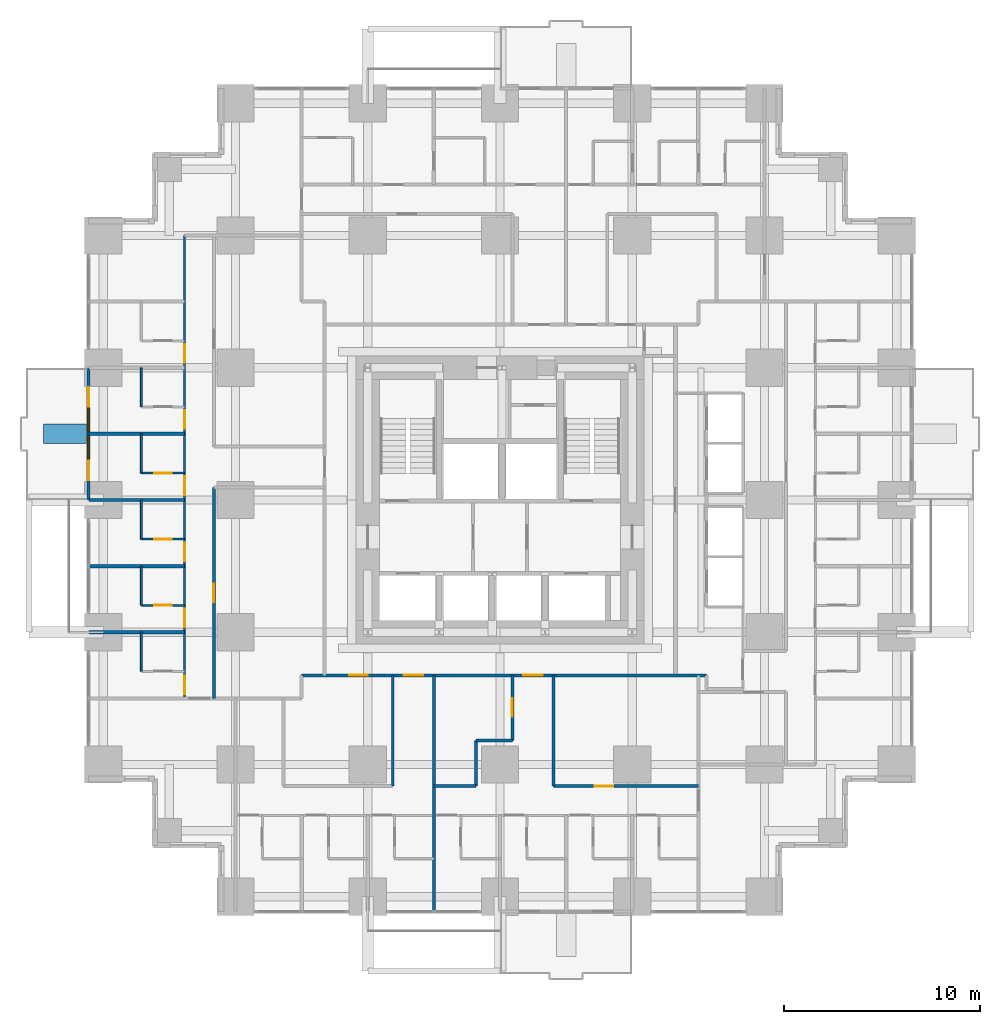
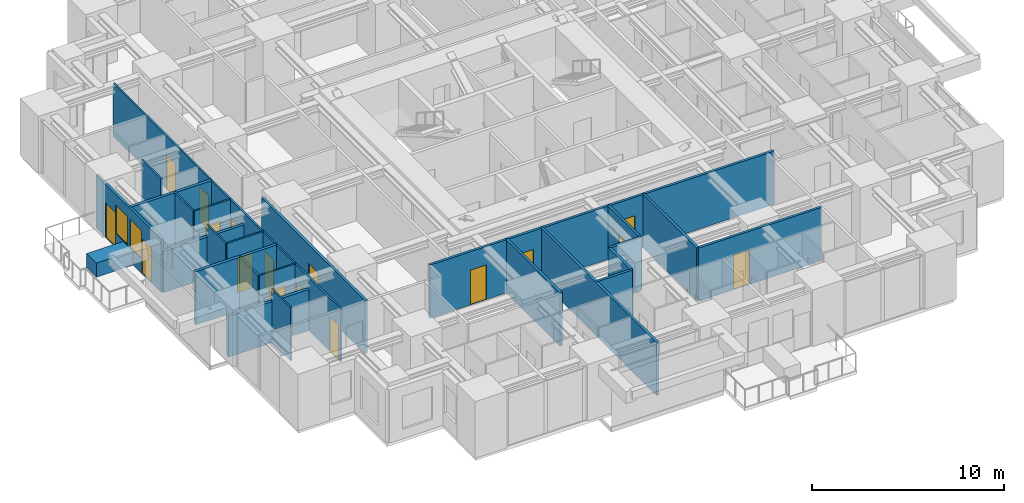
# One storey, part 9 of 15: 25 walls, 17 doors, 2 windows, 19 openings.
"""IFC4 building model written with IfcOpenShell, lengths in metres."""

import ifcopenshell
import ifcopenshell.guid

model = None  # the IFC model being written
_history = None  # IfcOwnerHistory: only IFC2X3 demands one
_inside = {}  # id of a spatial element -> (the spatial element, [elements in it])
_under = {}  # id of a project, library or spatial element -> (it, [spatial elements below it])
_declared = {}  # id of a project -> (the project, [libraries it declares])
_typed = {}  # id of a type object -> (the type object, [elements of that type])
_made_of = {}  # id of a material, layer set ... -> (it, [elements and type objects made of it])


def new_model(schema):
    """Start an empty IFC model of exactly this schema.

    Asked for "IFC4X3", IfcOpenShell would pick the latest addendum, in which some entities
    have other attributes; the version numbers below select the first issue.
    IFC2X3 requires an IfcOwnerHistory on every rooted entity: one is made here for all.
    """
    global model, _history
    if schema == "IFC4X3":
        model = ifcopenshell.file(schema_version=(4, 3, 0, 0))
    else:
        model = ifcopenshell.file(schema=schema)
    _inside.clear()
    _under.clear()
    _declared.clear()
    _typed.clear()
    _made_of.clear()
    _history = None
    if model.schema == "IFC2X3":
        org = make("IfcOrganization", Name="unknown")
        user = make(
            "IfcPersonAndOrganization",
            ThePerson=make("IfcPerson", FamilyName="unknown"),
            TheOrganization=org,
        )
        app = make(
            "IfcApplication",
            ApplicationDeveloper=org,
            Version="unknown",
            ApplicationFullName="unknown",
            ApplicationIdentifier="unknown",
        )
        _history = make(
            "IfcOwnerHistory",
            OwningUser=user,
            OwningApplication=app,
            ChangeAction="ADDED",
            CreationDate=0,
        )
    return model


def make(cls, **values):
    """One entity of the class cls with the attributes given. An attribute that is None is left unset."""
    return model.create_entity(
        cls, **{name: value for name, value in values.items() if value is not None}
    )


def rooted(cls, **values):
    """An entity with a GlobalId (a new one), such as an element, a storey or a relation."""
    return make(cls, GlobalId=ifcopenshell.guid.new(), OwnerHistory=_history, **values)


def si_unit(unit_type, name, prefix=None):
    """IfcSIUnit, for example si_unit("LENGTHUNIT", "METRE", prefix="MILLI")."""
    return make("IfcSIUnit", UnitType=unit_type, Prefix=prefix, Name=name)


def assignment(units):
    """IfcUnitAssignment: the units of a project."""
    return None if units is None else make("IfcUnitAssignment", Units=units)


def point(xyz):
    """IfcCartesianPoint."""
    return None if xyz is None else make("IfcCartesianPoint", Coordinates=xyz)


def direction(xyz):
    """IfcDirection."""
    return None if xyz is None else make("IfcDirection", DirectionRatios=xyz)


def frame(location, z_axis=None, x_axis=None):
    """IfcAxis2Placement3D, a coordinate frame: its origin and axes. An axis left out is left unset."""
    return make(
        "IfcAxis2Placement3D",
        Location=point(location),
        Axis=direction(z_axis),
        RefDirection=direction(x_axis),
    )


def frame_2d(location, x_axis=None):
    """IfcAxis2Placement2D, a coordinate frame in the plane: its origin and x axis."""
    return make(
        "IfcAxis2Placement2D", Location=point(location), RefDirection=direction(x_axis)
    )


def origin():
    """The frame at (0, 0, 0) with its axes left unset."""
    return frame((0.0, 0.0, 0.0))


def place(relative_to, where):
    """IfcLocalPlacement: puts the frame where relative to a parent placement (None: the world)."""
    return make(
        "IfcLocalPlacement", PlacementRelTo=relative_to, RelativePlacement=where
    )


def context(
    kind, dimensions, precision=None, world=None, true_north=None, identifier=None
):
    """IfcGeometricRepresentationContext, for example the 3D "Model" context."""
    return make(
        "IfcGeometricRepresentationContext",
        ContextIdentifier=identifier,
        ContextType=kind,
        CoordinateSpaceDimension=dimensions,
        Precision=precision,
        WorldCoordinateSystem=world,
        TrueNorth=true_north,
    )


def subcontext(parent, identifier, kind, view, scale=None):
    """IfcGeometricRepresentationSubContext, for example "Body" below "Model"."""
    return make(
        "IfcGeometricRepresentationSubContext",
        ContextIdentifier=identifier,
        ContextType=kind,
        ParentContext=parent,
        TargetScale=scale,
        TargetView=view,
    )


def project(units=None, contexts=None):
    """IfcProject with its units and contexts."""
    return rooted(
        "IfcProject",
        Name="project",
        RepresentationContexts=contexts,
        UnitsInContext=assignment(units),
    )


def spatial(cls, under=None, at=None, **own):
    """A site, building, storey or space (cls), placed at a placement, below another one or the project."""
    s = rooted(cls, ObjectPlacement=at, **own)
    if under is not None:
        _under.setdefault(under.id(), (under, []))[1].append(s)
    return s


def profile(cls, at=None, kind="AREA", **sizes):
    """A parametric profile (cls). Its sizes go by their IFC names, for example OverallWidth=200.0."""
    return make(cls, ProfileType=kind, Position=at, **sizes)


def rectangle(**sizes):
    """IfcRectangleProfileDef."""
    return profile("IfcRectangleProfileDef", **sizes)


def extrude(swept, where, along, depth):
    """IfcExtrudedAreaSolid: the profile swept, set in the frame where, extruded along a direction by depth."""
    return make(
        "IfcExtrudedAreaSolid",
        SweptArea=swept,
        Position=where,
        ExtrudedDirection=direction(along),
        Depth=depth,
    )


def shape(context_of_items, identifier, shape_type, items):
    """IfcShapeRepresentation: the items that make up one representation, for example the "Body"."""
    return make(
        "IfcShapeRepresentation",
        ContextOfItems=context_of_items,
        RepresentationIdentifier=identifier,
        RepresentationType=shape_type,
        Items=items,
    )


def material(Name=None, Category=None):
    """IfcMaterial."""
    return make("IfcMaterial", Name=Name, Category=Category)


def layer(
    of_material, thickness, ventilated=None, Name=None, Category=None, Priority=None
):
    """IfcMaterialLayer: one layer of a wall or slab, of a material (None: an air gap)."""
    return make(
        "IfcMaterialLayer",
        Material=of_material,
        LayerThickness=thickness,
        IsVentilated=ventilated,
        Name=Name,
        Category=Category,
        Priority=Priority,
    )


def layer_set(layers, Name=None):
    """IfcMaterialLayerSet."""
    return make("IfcMaterialLayerSet", MaterialLayers=layers, LayerSetName=Name)


def made_of(thing, what):
    """Note that an element or type object is made of a material, layer set ...; save() writes the relation."""
    if what is not None:
        _made_of.setdefault(what.id(), (what, []))[1].append(thing)
    return thing


def type_object(cls, material=None, **own):
    """A type object (cls), such as IfcWallType, which elements share."""
    return made_of(rooted(cls, **own), material)


def element(
    cls,
    number,
    at=None,
    inside=None,
    cuts=None,
    type_object=None,
    material=None,
    context=None,
    identifier="Body",
    shape_type=None,
    held_by="IfcProductDefinitionShape",
    body=None,
    shapes=None,
    **own,
):
    """One element of the class cls, such as IfcWall. Its Tag is "e" and its number.

    at: its placement. inside: the storey or other place that contains it. cuts: it is an
    opening in that element (IfcRelVoidsElement). A single representation is given by context,
    identifier, shape_type and body (its items); several are given by shapes. held_by: the class
    of the entity that holds the representations. save() writes the other relations.
    """
    e = rooted(cls, Tag="e%d" % number, ObjectPlacement=at, **own)
    if body is not None:
        shapes = [shape(context, identifier, shape_type, body)]
    if shapes is not None:
        e.Representation = make(held_by, Representations=shapes)
    if inside is not None:
        _inside.setdefault(inside.id(), (inside, []))[1].append(e)
    if cuts is not None:
        rooted(
            "IfcRelVoidsElement", RelatingBuildingElement=cuts, RelatedOpeningElement=e
        )
    if type_object is not None:
        _typed.setdefault(type_object.id(), (type_object, []))[1].append(e)
    return made_of(e, material)


def fill(opening, filler):
    """IfcRelFillsElement: the door or window that sits in an opening."""
    return rooted(
        "IfcRelFillsElement",
        RelatingOpeningElement=opening,
        RelatedBuildingElement=filler,
    )


def aggregate(whole, parts):
    """IfcRelAggregates: a whole, such as a stair, and the parts it consists of."""
    return rooted("IfcRelAggregates", RelatingObject=whole, RelatedObjects=parts)


def save(model, path):
    """Write the relations noted so far, then the file.

    IfcRelAggregates (storeys below a building ...), IfcRelContainedInSpatialStructure (elements
    in a storey), IfcRelDefinesByType, IfcRelAssociatesMaterial and IfcRelDeclares: one each for
    every whole, place, type object, material and project.
    """
    for whole, parts in _under.values():
        aggregate(whole, parts)
    for where, things in _inside.values():
        rooted(
            "IfcRelContainedInSpatialStructure",
            RelatedElements=things,
            RelatingStructure=where,
        )
    for kind, things in _typed.values():
        rooted("IfcRelDefinesByType", RelatedObjects=things, RelatingType=kind)
    for what, things in _made_of.values():
        rooted("IfcRelAssociatesMaterial", RelatedObjects=things, RelatingMaterial=what)
    for by, libraries in _declared.values():
        rooted("IfcRelDeclares", RelatingContext=by, RelatedDefinitions=libraries)
    model.write(path)


model = new_model("IFC4")

# Units and contexts
model_context = context("Model", 3, precision=1e-05, world=origin(), true_north=direction((0.0, 1.0)))
body_context = subcontext(model_context, "Body", "Model", "MODEL_VIEW")
ifc_project = project(units=[si_unit("LENGTHUNIT", "METRE"), si_unit("AREAUNIT", "SQUARE_METRE"), si_unit("VOLUMEUNIT", "CUBIC_METRE"), si_unit("PLANEANGLEUNIT", "RADIAN"), si_unit("MASSUNIT", "GRAM", prefix="KILO")], contexts=[model_context])

# Site, building, storey
site_placement = place(None, origin())
site = spatial("IfcSite", under=ifc_project, at=site_placement, CompositionType="ELEMENT")
building_placement = place(site_placement, origin())
building = spatial("IfcBuilding", under=site, at=building_placement, Name="Nyansa Garden Tower", CompositionType="ELEMENT")
storey_placement = place(building_placement, frame((0.0, 0.0, 36.0)))
storey = spatial("IfcBuildingStorey", under=building, at=storey_placement, Name="L09", CompositionType="ELEMENT", Elevation=36.0)

# Walls
ifc_material_1 = material(Name="Dense blockwork, plastered both sides, 55 dB", Category="masonry")
ifc_layer_1 = layer(ifc_material_1, 0.175048828125)
ifc_layer_set_1 = layer_set([ifc_layer_1], Name="Acoustic party wall PW175")
wall_type_1 = type_object("IfcWallType", Name="Acoustic party wall PW175", PredefinedType="PARTITIONING", material=ifc_layer_set_1)
wall_1_placement = place(storey_placement, frame((-0.73388671875, 13.5, 0.0), z_axis=(0.0, 0.0, 1.0), x_axis=(1.0, 0.0, 0.0)))
element("IfcWall", 1, at=wall_1_placement, inside=storey, type_object=wall_type_1, Name="Party wall", PredefinedType="PARTITIONING", context=body_context, shape_type="SweptSolid", body=[
    extrude(rectangle(XDim=4.8837890625, YDim=0.175048828125, at=frame_2d((2.44189453125, 0.0))), origin(), (0.0, 0.0, 1.0), 2.610107421875),
])
wall_2_placement = place(storey_placement, frame((-0.73388671875, 16.875, 0.0), z_axis=(0.0, 0.0, 1.0), x_axis=(1.0, 0.0, 0.0)))
element("IfcWall", 2, at=wall_2_placement, inside=storey, type_object=wall_type_1, Name="Party wall", PredefinedType="PARTITIONING", context=body_context, shape_type="SweptSolid", body=[
    extrude(rectangle(XDim=4.8837890625, YDim=0.175048828125, at=frame_2d((2.44189453125, 0.0))), origin(), (0.0, 0.0, 1.0), 3.375),
])
wall_3_placement = place(storey_placement, frame((-0.73388671875, 20.25, 0.0), z_axis=(0.0, 0.0, 1.0), x_axis=(1.0, 0.0, 0.0)))
element("IfcWall", 3, at=wall_3_placement, inside=storey, type_object=wall_type_1, Name="Party wall", PredefinedType="PARTITIONING", context=body_context, shape_type="SweptSolid", body=[
    extrude(rectangle(XDim=4.8837890625, YDim=0.175048828125, at=frame_2d((2.44189453125, 0.0))), origin(), (0.0, 0.0, 1.0), 2.610107421875),
])
wall_4_placement = place(storey_placement, frame((-0.73388671875, 23.625, 0.0), z_axis=(0.0, 0.0, 1.0), x_axis=(1.0, 0.0, 0.0)))
element("IfcWall", 4, at=wall_4_placement, inside=storey, type_object=wall_type_1, Name="Party wall", PredefinedType="PARTITIONING", context=body_context, shape_type="SweptSolid", body=[
    extrude(rectangle(XDim=4.8837890625, YDim=0.175048828125, at=frame_2d((2.44189453125, 0.0))), origin(), (0.0, 0.0, 1.0), 3.375),
])

# Wall, openings, doors, windows
ifc_material_2 = material(Name="Black aluminium framed glazed screen", Category="aluminium")
ifc_layer_2 = layer(ifc_material_2, 0.14990234375)
ifc_layer_set_2 = layer_set([ifc_layer_2], Name="Balcony screen wall BW150")
wall_type_2 = type_object("IfcWallType", Name="Balcony screen wall BW150", PredefinedType="SOLIDWALL", material=ifc_layer_set_2)
wall_5_placement = place(storey_placement, frame((-0.75, 20.25, 0.0), z_axis=(0.0, 0.0, 1.0), x_axis=(0.0, 1.0, 0.0)))
wall_5 = element("IfcWall", 5, at=wall_5_placement, inside=storey, type_object=wall_type_2, Name="Glazed screen wall L09 W", PredefinedType="SOLIDWALL", context=body_context, shape_type="SweptSolid", body=[
    extrude(rectangle(XDim=6.75, YDim=0.14990234375, at=frame_2d((3.375, 0.0))), origin(), (0.0, 0.0, 1.0), 3.375),
])
opening_1_placement = place(wall_5_placement, frame((0.995849609375, 0.0, 0.0)))
opening_1 = element("IfcOpeningElement", 6, at=opening_1_placement, cuts=wall_5, Name="Opening D20", PredefinedType="OPENING", context=body_context, shape_type="SweptSolid", body=[
    extrude(rectangle(XDim=1.0, YDim=2.199951171875, at=frame_2d((0.5, 1.10009765625))), frame((0.0, 0.0849609375, 0.0), z_axis=(0.0, -1.0, 0.0), x_axis=(1.0, 0.0, 0.0)), (0.0, 0.0, 1.0), 0.169921875),
])
opening_2_placement = place(wall_5_placement, frame((2.041748046875, 0.0, 0.89990234375)))
opening_2 = element("IfcOpeningElement", 7, at=opening_2_placement, cuts=wall_5, Name="Opening W6", PredefinedType="OPENING", context=body_context, shape_type="SweptSolid", body=[
    extrude(rectangle(XDim=1.199951171875, YDim=1.800048828125, at=frame_2d((0.60009765625, 0.89990234375))), frame((0.0, 0.0849609375, 0.0), z_axis=(0.0, -1.0, 0.0), x_axis=(1.0, 0.0, 0.0)), (0.0, 0.0, 1.0), 0.169921875),
])
opening_3_placement = place(wall_5_placement, frame((4.754150390625, 0.0, 0.0)))
opening_3 = element("IfcOpeningElement", 8, at=opening_3_placement, cuts=wall_5, Name="Opening D20", PredefinedType="OPENING", context=body_context, shape_type="SweptSolid", body=[
    extrude(rectangle(XDim=1.0, YDim=2.199951171875, at=frame_2d((0.5, 1.10009765625))), frame((0.0, 0.0849609375, 0.0), z_axis=(0.0, -1.0, 0.0), x_axis=(1.0, 0.0, 0.0)), (0.0, 0.0, 1.0), 0.169921875),
])
opening_4_placement = place(wall_5_placement, frame((3.50830078125, 0.0, 0.89990234375)))
opening_4 = element("IfcOpeningElement", 9, at=opening_4_placement, cuts=wall_5, Name="Opening W6", PredefinedType="OPENING", context=body_context, shape_type="SweptSolid", body=[
    extrude(rectangle(XDim=1.199951171875, YDim=1.800048828125, at=frame_2d((0.60009765625, 0.89990234375))), frame((0.0, 0.0849609375, 0.0), z_axis=(0.0, -1.0, 0.0), x_axis=(1.0, 0.0, 0.0)), (0.0, 0.0, 1.0), 0.169921875),
])
ifc_material_3 = material(Name="Black aluminium framed glazed door", Category="aluminium")
door_type_1 = type_object("IfcDoorType", Name="Balcony door D20 1000x2200", OperationType="NOTDEFINED", PredefinedType="DOOR", material=ifc_material_3)
door_1_placement = place(opening_1_placement, origin())
door_1 = element("IfcDoor", 10, at=door_1_placement, inside=storey, type_object=door_type_1, Name="Balcony door L09", OperationType="SINGLE_SWING_LEFT", OverallHeight=2.199951171875, OverallWidth=1.0, PredefinedType="DOOR", context=body_context, shape_type="SweptSolid", body=[
    extrude(rectangle(XDim=1.0, YDim=2.199951171875, at=frame_2d((0.5, 1.10009765625))), frame((0.0, 0.02490234375, 0.0), z_axis=(0.0, -1.0, 0.0), x_axis=(1.0, 0.0, 0.0)), (0.0, 0.0, 1.0), 0.050048828125),
])
fill(opening_1, door_1)
door_2_placement = place(opening_3_placement, origin())
door_2 = element("IfcDoor", 11, at=door_2_placement, inside=storey, type_object=door_type_1, Name="Balcony door L09", OperationType="SINGLE_SWING_RIGHT", OverallHeight=2.199951171875, OverallWidth=1.0, PredefinedType="DOOR", context=body_context, shape_type="SweptSolid", body=[
    extrude(rectangle(XDim=1.0, YDim=2.199951171875, at=frame_2d((0.5, 1.10009765625))), frame((0.0, 0.02490234375, 0.0), z_axis=(0.0, -1.0, 0.0), x_axis=(1.0, 0.0, 0.0)), (0.0, 0.0, 1.0), 0.050048828125),
])
fill(opening_3, door_2)
ifc_material_4 = material(Name="Black aluminium frame, dark tinted double glazing", Category="aluminium")
window_type = type_object("IfcWindowType", Name="Balcony window W6 1200x1800", PartitioningType="SINGLE_PANEL", PredefinedType="WINDOW", material=ifc_material_4)
window_1_placement = place(opening_2_placement, origin())
window_1 = element("IfcWindow", 12, at=window_1_placement, inside=storey, type_object=window_type, Name="Window L09", OverallHeight=1.800048828125, OverallWidth=1.199951171875, PartitioningType="SINGLE_PANEL", PredefinedType="WINDOW", context=body_context, shape_type="SweptSolid", body=[
    extrude(rectangle(XDim=1.199951171875, YDim=1.800048828125, at=frame_2d((0.60009765625, 0.89990234375))), frame((0.0, 0.030029296875, 0.0), z_axis=(0.0, -1.0, 0.0), x_axis=(1.0, 0.0, 0.0)), (0.0, 0.0, 1.0), 0.06005859375),
])
fill(opening_2, window_1)
window_2_placement = place(opening_4_placement, origin())
window_2 = element("IfcWindow", 13, at=window_2_placement, inside=storey, type_object=window_type, Name="Window L09", OverallHeight=1.800048828125, OverallWidth=1.199951171875, PartitioningType="SINGLE_PANEL", PredefinedType="WINDOW", context=body_context, shape_type="SweptSolid", body=[
    extrude(rectangle(XDim=1.199951171875, YDim=1.800048828125, at=frame_2d((0.60009765625, 0.89990234375))), frame((0.0, 0.030029296875, 0.0), z_axis=(0.0, -1.0, 0.0), x_axis=(1.0, 0.0, 0.0)), (0.0, 0.0, 1.0), 0.06005859375),
])
fill(opening_4, window_2)

# Wall, opening, door
ifc_material_5 = material(Name="Blockwork, plastered both sides", Category="masonry")
ifc_layer_3 = layer(ifc_material_5, 0.14990234375)
ifc_layer_set_3 = layer_set([ifc_layer_3], Name="Partition PW150")
wall_type_3 = type_object("IfcWallType", Name="Partition PW150", PredefinedType="PARTITIONING", material=ifc_layer_set_3)
wall_6_placement = place(storey_placement, frame((5.64990234375, 10.125, 0.0), z_axis=(0.0, 0.0, 1.0), x_axis=(0.0, 1.0, 0.0)))
wall_6 = element("IfcWall", 14, at=wall_6_placement, inside=storey, type_object=wall_type_3, Name="Partition", PredefinedType="PARTITIONING", context=body_context, shape_type="SweptSolid", body=[
    extrude(rectangle(XDim=10.762451171875, YDim=0.14990234375, at=frame_2d((5.38134765625, 0.0))), origin(), (0.0, 0.0, 1.0), 3.375),
])
opening_5_placement = place(wall_6_placement, frame((4.89990234375, 0.0, 0.0)))
opening_5 = element("IfcOpeningElement", 15, at=opening_5_placement, cuts=wall_6, Name="Opening D01", PredefinedType="OPENING", context=body_context, shape_type="SweptSolid", body=[
    extrude(rectangle(XDim=0.949951171875, YDim=2.199951171875, at=frame_2d((0.47509765625, 1.10009765625))), frame((0.0, 0.0849609375, 0.0), z_axis=(0.0, -1.0, 0.0), x_axis=(1.0, 0.0, 0.0)), (0.0, 0.0, 1.0), 0.169921875),
])
ifc_material_6 = material(Name="Timber flush door, 30 minute fire resisting", Category="wood")
door_type_2 = type_object("IfcDoorType", Name="Bedroom door D01 950x2200", OperationType="SINGLE_SWING_LEFT", PredefinedType="DOOR", material=ifc_material_6)
door_3_placement = place(opening_5_placement, origin())
door_3 = element("IfcDoor", 16, at=door_3_placement, inside=storey, type_object=door_type_2, Name="Door L09-083", OperationType="SINGLE_SWING_LEFT", OverallHeight=2.199951171875, OverallWidth=0.949951171875, PredefinedType="DOOR", context=body_context, shape_type="SweptSolid", body=[
    extrude(rectangle(XDim=0.949951171875, YDim=2.199951171875, at=frame_2d((0.47509765625, 1.10009765625))), frame((0.0, 0.02490234375, 0.0), z_axis=(0.0, -1.0, 0.0), x_axis=(1.0, 0.0, 0.0)), (0.0, 0.0, 1.0), 0.050048828125),
])
fill(opening_5, door_3)

# Wall, openings, doors
wall_7_placement = place(storey_placement, frame((10.125, 11.300048828125, 0.0), z_axis=(0.0, 0.0, 1.0), x_axis=(1.0, 0.0, 0.0)))
wall_7 = element("IfcWall", 17, at=wall_7_placement, inside=storey, type_object=wall_type_3, Name="Partition", PredefinedType="PARTITIONING", context=body_context, shape_type="SweptSolid", body=[
    extrude(rectangle(XDim=20.675048828125, YDim=0.14990234375, at=frame_2d((10.33740234375, 0.0))), origin(), (0.0, 0.0, 1.0), 3.375),
])
opening_6_placement = place(wall_7_placement, frame((5.199951171875, 0.0, 0.0)))
opening_6 = element("IfcOpeningElement", 18, at=opening_6_placement, cuts=wall_7, Name="Opening D03", PredefinedType="OPENING", context=body_context, shape_type="SweptSolid", body=[
    extrude(rectangle(XDim=1.0, YDim=2.199951171875, at=frame_2d((0.5, 1.10009765625))), frame((0.0, 0.0849609375, 0.0), z_axis=(0.0, -1.0, 0.0), x_axis=(1.0, 0.0, 0.0)), (0.0, 0.0, 1.0), 0.169921875),
])
opening_7_placement = place(wall_7_placement, frame((11.3125, 0.0, 0.0)))
opening_7 = element("IfcOpeningElement", 19, at=opening_7_placement, cuts=wall_7, Name="Opening D03", PredefinedType="OPENING", context=body_context, shape_type="SweptSolid", body=[
    extrude(rectangle(XDim=1.0, YDim=2.199951171875, at=frame_2d((0.5, 1.10009765625))), frame((0.0, 0.0849609375, 0.0), z_axis=(0.0, -1.0, 0.0), x_axis=(1.0, 0.0, 0.0)), (0.0, 0.0, 1.0), 0.169921875),
])
opening_8_placement = place(wall_7_placement, frame((2.425048828125, 0.0, 0.0)))
opening_8 = element("IfcOpeningElement", 20, at=opening_8_placement, cuts=wall_7, Name="Opening D01", PredefinedType="OPENING", context=body_context, shape_type="SweptSolid", body=[
    extrude(rectangle(XDim=0.949951171875, YDim=2.199951171875, at=frame_2d((0.47509765625, 1.10009765625))), frame((0.0, 0.0849609375, 0.0), z_axis=(0.0, -1.0, 0.0), x_axis=(1.0, 0.0, 0.0)), (0.0, 0.0, 1.0), 0.169921875),
])
door_4_placement = place(opening_8_placement, origin())
door_4 = element("IfcDoor", 21, at=door_4_placement, inside=storey, type_object=door_type_2, Name="Door L09-035", OperationType="SINGLE_SWING_LEFT", OverallHeight=2.199951171875, OverallWidth=0.949951171875, PredefinedType="DOOR", context=body_context, shape_type="SweptSolid", body=[
    extrude(rectangle(XDim=0.949951171875, YDim=2.199951171875, at=frame_2d((0.47509765625, 1.10009765625))), frame((0.0, 0.02490234375, 0.0), z_axis=(0.0, -1.0, 0.0), x_axis=(1.0, 0.0, 0.0)), (0.0, 0.0, 1.0), 0.050048828125),
])
fill(opening_8, door_4)
ifc_material_7 = material(Name="Timber flush door, 60 minute fire resisting", Category="wood")
door_type_3 = type_object("IfcDoorType", Name="Cluster entrance door D03 1000x2200", OperationType="SINGLE_SWING_LEFT", PredefinedType="DOOR", material=ifc_material_7)
door_5_placement = place(opening_6_placement, origin())
door_5 = element("IfcDoor", 22, at=door_5_placement, inside=storey, type_object=door_type_3, Name="Door L09-025", OperationType="SINGLE_SWING_LEFT", OverallHeight=2.199951171875, OverallWidth=1.0, PredefinedType="DOOR", context=body_context, shape_type="SweptSolid", body=[
    extrude(rectangle(XDim=1.0, YDim=2.199951171875, at=frame_2d((0.5, 1.10009765625))), frame((0.0, 0.02490234375, 0.0), z_axis=(0.0, -1.0, 0.0), x_axis=(1.0, 0.0, 0.0)), (0.0, 0.0, 1.0), 0.050048828125),
])
fill(opening_6, door_5)
door_6_placement = place(opening_7_placement, origin())
door_6 = element("IfcDoor", 23, at=door_6_placement, inside=storey, type_object=door_type_3, Name="Door L09-034", OperationType="SINGLE_SWING_LEFT", OverallHeight=2.199951171875, OverallWidth=1.0, PredefinedType="DOOR", context=body_context, shape_type="SweptSolid", body=[
    extrude(rectangle(XDim=1.0, YDim=2.199951171875, at=frame_2d((0.5, 1.10009765625))), frame((0.0, 0.02490234375, 0.0), z_axis=(0.0, -1.0, 0.0), x_axis=(1.0, 0.0, 0.0)), (0.0, 0.0, 1.0), 0.050048828125),
])
fill(opening_7, door_6)

# Walls
wall_8_placement = place(storey_placement, frame((14.77490234375, 5.64990234375, 0.0), z_axis=(0.0, 0.0, 1.0), x_axis=(0.0, 1.0, 0.0)))
element("IfcWall", 24, at=wall_8_placement, inside=storey, type_object=wall_type_3, Name="Partition", PredefinedType="PARTITIONING", context=body_context, shape_type="SweptSolid", body=[
    extrude(rectangle(XDim=5.650146484375, YDim=0.14990234375, at=frame_2d((2.8251953125, 0.0))), origin(), (0.0, 0.0, 1.0), 3.375),
])
wall_9_placement = place(storey_placement, frame((16.875, -0.73388671875, 0.0), z_axis=(0.0, 0.0, 1.0), x_axis=(0.0, 1.0, 0.0)))
element("IfcWall", 25, at=wall_9_placement, inside=storey, type_object=wall_type_3, Name="Partition", PredefinedType="PARTITIONING", context=body_context, shape_type="SweptSolid", body=[
    extrude(rectangle(XDim=12.033935546875, YDim=0.14990234375, at=frame_2d((6.01708984375, 0.0))), origin(), (0.0, 0.0, 1.0), 3.375),
])
wall_10_placement = place(storey_placement, frame((16.875, 5.64990234375, 0.0), z_axis=(0.0, 0.0, 1.0), x_axis=(1.0, 0.0, 0.0)))
element("IfcWall", 26, at=wall_10_placement, inside=storey, type_object=wall_type_3, Name="Partition", PredefinedType="PARTITIONING", context=body_context, shape_type="SweptSolid", body=[
    extrude(rectangle(XDim=2.14501953125, YDim=0.14990234375, at=frame_2d((1.072509765625, 0.0))), origin(), (0.0, 0.0, 1.0), 3.375),
])
wall_11_placement = place(storey_placement, frame((19.02001953125, 5.64990234375, 0.0), z_axis=(0.0, 0.0, 1.0), x_axis=(0.0, 1.0, 0.0)))
element("IfcWall", 27, at=wall_11_placement, inside=storey, type_object=wall_type_3, Name="Partition", PredefinedType="PARTITIONING", context=body_context, shape_type="SweptSolid", body=[
    extrude(rectangle(XDim=2.330078125, YDim=0.14990234375, at=frame_2d((1.1650390625, 0.0))), origin(), (0.0, 0.0, 1.0), 3.375),
])
wall_12_placement = place(storey_placement, frame((19.02001953125, 7.97998046875, 0.0), z_axis=(0.0, 0.0, 1.0), x_axis=(1.0, 0.0, 0.0)))
element("IfcWall", 28, at=wall_12_placement, inside=storey, type_object=wall_type_3, Name="Partition", PredefinedType="PARTITIONING", context=body_context, shape_type="SweptSolid", body=[
    extrude(rectangle(XDim=1.867431640625, YDim=0.14990234375, at=frame_2d((0.93359375, 0.0))), origin(), (0.0, 0.0, 1.0), 3.375),
])

# Wall, opening, door
wall_13_placement = place(storey_placement, frame((20.886962890625, 7.97998046875, 0.0), z_axis=(0.0, 0.0, 1.0), x_axis=(0.0, 1.0, 0.0)))
wall_13 = element("IfcWall", 29, at=wall_13_placement, inside=storey, type_object=wall_type_3, Name="Partition", PredefinedType="PARTITIONING", context=body_context, shape_type="SweptSolid", body=[
    extrude(rectangle(XDim=3.320068359375, YDim=0.14990234375, at=frame_2d((1.66015625, 0.0))), origin(), (0.0, 0.0, 1.0), 3.375),
])
opening_9_placement = place(wall_13_placement, frame((1.199951171875, 0.0, 0.0)))
opening_9 = element("IfcOpeningElement", 30, at=opening_9_placement, cuts=wall_13, Name="Opening D01", PredefinedType="OPENING", context=body_context, shape_type="SweptSolid", body=[
    extrude(rectangle(XDim=0.949951171875, YDim=2.199951171875, at=frame_2d((0.47509765625, 1.10009765625))), frame((0.0, 0.0849609375, 0.0), z_axis=(0.0, -1.0, 0.0), x_axis=(1.0, 0.0, 0.0)), (0.0, 0.0, 1.0), 0.169921875),
])
door_7_placement = place(opening_9_placement, origin())
door_7 = element("IfcDoor", 31, at=door_7_placement, inside=storey, type_object=door_type_2, Name="Door L09-037", OperationType="SINGLE_SWING_LEFT", OverallHeight=2.199951171875, OverallWidth=0.949951171875, PredefinedType="DOOR", context=body_context, shape_type="SweptSolid", body=[
    extrude(rectangle(XDim=0.949951171875, YDim=2.199951171875, at=frame_2d((0.47509765625, 1.10009765625))), frame((0.0, 0.02490234375, 0.0), z_axis=(0.0, -1.0, 0.0), x_axis=(1.0, 0.0, 0.0)), (0.0, 0.0, 1.0), 0.050048828125),
])
fill(opening_9, door_7)

wall_14_placement = place(storey_placement, frame((22.987548828125, 5.64990234375, 0.0), z_axis=(0.0, 0.0, 1.0), x_axis=(1.0, 0.0, 0.0)))
wall_14 = element("IfcWall", 32, at=wall_14_placement, inside=storey, type_object=wall_type_3, Name="Partition", PredefinedType="PARTITIONING", context=body_context, shape_type="SweptSolid", body=[
    extrude(rectangle(XDim=7.387451171875, YDim=0.14990234375, at=frame_2d((3.69384765625, 0.0))), origin(), (0.0, 0.0, 1.0), 3.375),
])
opening_10_placement = place(wall_14_placement, frame((2.10009765625, 0.0, 0.0)))
opening_10 = element("IfcOpeningElement", 33, at=opening_10_placement, cuts=wall_14, Name="Opening D01", PredefinedType="OPENING", context=body_context, shape_type="SweptSolid", body=[
    extrude(rectangle(XDim=0.949951171875, YDim=2.199951171875, at=frame_2d((0.47509765625, 1.10009765625))), frame((0.0, 0.0849609375, 0.0), z_axis=(0.0, -1.0, 0.0), x_axis=(1.0, 0.0, 0.0)), (0.0, 0.0, 1.0), 0.169921875),
])
door_8_placement = place(opening_10_placement, origin())
door_8 = element("IfcDoor", 34, at=door_8_placement, inside=storey, type_object=door_type_2, Name="Door L09-036", OperationType="SINGLE_SWING_LEFT", OverallHeight=2.199951171875, OverallWidth=0.949951171875, PredefinedType="DOOR", context=body_context, shape_type="SweptSolid", body=[
    extrude(rectangle(XDim=0.949951171875, YDim=2.199951171875, at=frame_2d((0.47509765625, 1.10009765625))), frame((0.0, 0.02490234375, 0.0), z_axis=(0.0, -1.0, 0.0), x_axis=(1.0, 0.0, 0.0)), (0.0, 0.0, 1.0), 0.050048828125),
])
fill(opening_10, door_8)

# Walls
wall_15_placement = place(storey_placement, frame((22.988037109375, 5.64990234375, 0.0), z_axis=(0.0, 0.0, 1.0), x_axis=(0.0, 1.0, 0.0)))
element("IfcWall", 35, at=wall_15_placement, inside=storey, type_object=wall_type_3, Name="Partition", PredefinedType="PARTITIONING", context=body_context, shape_type="SweptSolid", body=[
    extrude(rectangle(XDim=5.650146484375, YDim=0.14990234375, at=frame_2d((2.8251953125, 0.0))), origin(), (0.0, 0.0, 1.0), 3.375),
])
ifc_material_8 = material(Name="Concrete C40/50 planter, waterproofed", Category="concrete")
ifc_layer_4 = layer(ifc_material_8, 1.0)
ifc_layer_set_4 = layer_set([ifc_layer_4], Name="Tree planter TP1")
wall_type_4 = type_object("IfcWallType", Name="Tree planter TP1", PredefinedType="USERDEFINED", material=ifc_layer_set_4)
wall_16_placement = place(storey_placement, frame((-0.85009765625, 23.625, 0.0), z_axis=(0.0, 0.0, 1.0), x_axis=(-1.0, 0.0, 0.0)))
element("IfcWall", 36, at=wall_16_placement, inside=storey, type_object=wall_type_4, Name="Tree planter L09", ObjectType="TREE PLANTER", PredefinedType="USERDEFINED", context=body_context, shape_type="SweptSolid", body=[
    extrude(rectangle(XDim=2.199951171875, YDim=1.0, at=frame_2d((1.10009765625, 0.0))), origin(), (0.0, 0.0, 1.0), 0.89990234375),
])
ifc_material_9 = material(Name="Moisture resistant board on steel studs, tiled", Category="steel")
ifc_layer_5 = layer(ifc_material_9, 0.10009765625)
ifc_layer_set_5 = layer_set([ifc_layer_5], Name="Wet wall PW100")
wall_type_5 = type_object("IfcWallType", Name="Wet wall PW100", PredefinedType="PARTITIONING", material=ifc_layer_set_5)
for number, where, z_axis, x_axis, name in (
    (37, (1.949951171875, 11.5, 0.0), (0.0, 0.0, 1.0), (0.0, 1.0, 0.0), "Wet wall"),
    (38, (1.949951171875, 14.875, 0.0), (0.0, 0.0, 1.0), (0.0, 1.0, 0.0), "Wet wall"),
):
    element("IfcWall", number, at=place(storey_placement, frame(where, z_axis=z_axis, x_axis=x_axis)), inside=storey, type_object=wall_type_5, Name=name, PredefinedType="PARTITIONING", context=body_context, shape_type="SweptSolid", body=[
        extrude(rectangle(XDim=2.0, YDim=0.10009765625, at=frame_2d((1.0, 0.0))), origin(), (0.0, 0.0, 1.0), 3.375),
    ])

# Wall, opening, door
wall_17_placement = place(storey_placement, frame((1.949951171875, 14.875, 0.0), z_axis=(0.0, 0.0, 1.0), x_axis=(1.0, 0.0, 0.0)))
wall_17 = element("IfcWall", 39, at=wall_17_placement, inside=storey, type_object=wall_type_5, Name="Wet wall", PredefinedType="PARTITIONING", context=body_context, shape_type="SweptSolid", body=[
    extrude(rectangle(XDim=2.199951171875, YDim=0.10009765625, at=frame_2d((1.10009765625, 0.0))), origin(), (0.0, 0.0, 1.0), 3.375),
])
opening_11_placement = place(wall_17_placement, frame((0.64990234375, 0.0, 0.0)))
opening_11 = element("IfcOpeningElement", 40, at=opening_11_placement, cuts=wall_17, Name="Opening D02", PredefinedType="OPENING", context=body_context, shape_type="SweptSolid", body=[
    extrude(rectangle(XDim=0.89990234375, YDim=2.199951171875, at=frame_2d((0.449951171875, 1.10009765625))), frame((0.0, 0.06005859375, 0.0), z_axis=(0.0, -1.0, 0.0), x_axis=(1.0, 0.0, 0.0)), (0.0, 0.0, 1.0), 0.1201171875),
])
ifc_material_10 = material(Name="Timber flush door", Category="wood")
door_type_4 = type_object("IfcDoorType", Name="En-suite door D02 900x2200", OperationType="SINGLE_SWING_RIGHT", PredefinedType="DOOR", material=ifc_material_10)
door_9_placement = place(opening_11_placement, origin())
door_9 = element("IfcDoor", 41, at=door_9_placement, inside=storey, type_object=door_type_4, Name="Door L09-073", OperationType="SINGLE_SWING_RIGHT", OverallHeight=2.199951171875, OverallWidth=0.89990234375, PredefinedType="DOOR", context=body_context, shape_type="SweptSolid", body=[
    extrude(rectangle(XDim=0.89990234375, YDim=2.199951171875, at=frame_2d((0.449951171875, 1.10009765625))), frame((0.0, 0.02490234375, 0.0), z_axis=(0.0, -1.0, 0.0), x_axis=(1.0, 0.0, 0.0)), (0.0, 0.0, 1.0), 0.050048828125),
])
fill(opening_11, door_9)

# Wall
wall_18_placement = place(storey_placement, frame((1.949951171875, 18.25, 0.0), z_axis=(0.0, 0.0, 1.0), x_axis=(0.0, 1.0, 0.0)))
element("IfcWall", 42, at=wall_18_placement, inside=storey, type_object=wall_type_5, Name="Wet wall", PredefinedType="PARTITIONING", context=body_context, shape_type="SweptSolid", body=[
    extrude(rectangle(XDim=2.0, YDim=0.10009765625, at=frame_2d((1.0, 0.0))), origin(), (0.0, 0.0, 1.0), 3.375),
])

# Wall, opening, door
wall_19_placement = place(storey_placement, frame((1.949951171875, 18.25, 0.0), z_axis=(0.0, 0.0, 1.0), x_axis=(1.0, 0.0, 0.0)))
wall_19 = element("IfcWall", 43, at=wall_19_placement, inside=storey, type_object=wall_type_5, Name="Wet wall", PredefinedType="PARTITIONING", context=body_context, shape_type="SweptSolid", body=[
    extrude(rectangle(XDim=2.199951171875, YDim=0.10009765625, at=frame_2d((1.10009765625, 0.0))), origin(), (0.0, 0.0, 1.0), 3.375),
])
opening_12_placement = place(wall_19_placement, frame((0.64990234375, 0.0, 0.0)))
opening_12 = element("IfcOpeningElement", 44, at=opening_12_placement, cuts=wall_19, Name="Opening D02", PredefinedType="OPENING", context=body_context, shape_type="SweptSolid", body=[
    extrude(rectangle(XDim=0.89990234375, YDim=2.199951171875, at=frame_2d((0.449951171875, 1.10009765625))), frame((0.0, 0.06005859375, 0.0), z_axis=(0.0, -1.0, 0.0), x_axis=(1.0, 0.0, 0.0)), (0.0, 0.0, 1.0), 0.1201171875),
])
door_10_placement = place(opening_12_placement, origin())
door_10 = element("IfcDoor", 45, at=door_10_placement, inside=storey, type_object=door_type_4, Name="Door L09-075", OperationType="SINGLE_SWING_RIGHT", OverallHeight=2.199951171875, OverallWidth=0.89990234375, PredefinedType="DOOR", context=body_context, shape_type="SweptSolid", body=[
    extrude(rectangle(XDim=0.89990234375, YDim=2.199951171875, at=frame_2d((0.449951171875, 1.10009765625))), frame((0.0, 0.02490234375, 0.0), z_axis=(0.0, -1.0, 0.0), x_axis=(1.0, 0.0, 0.0)), (0.0, 0.0, 1.0), 0.050048828125),
])
fill(opening_12, door_10)

# Wall
wall_20_placement = place(storey_placement, frame((1.949951171875, 21.625, 0.0), z_axis=(0.0, 0.0, 1.0), x_axis=(0.0, 1.0, 0.0)))
element("IfcWall", 46, at=wall_20_placement, inside=storey, type_object=wall_type_5, Name="Wet wall", PredefinedType="PARTITIONING", context=body_context, shape_type="SweptSolid", body=[
    extrude(rectangle(XDim=2.0, YDim=0.10009765625, at=frame_2d((1.0, 0.0))), origin(), (0.0, 0.0, 1.0), 3.375),
])

# Wall, opening, door
wall_21_placement = place(storey_placement, frame((1.949951171875, 21.625, 0.0), z_axis=(0.0, 0.0, 1.0), x_axis=(1.0, 0.0, 0.0)))
wall_21 = element("IfcWall", 47, at=wall_21_placement, inside=storey, type_object=wall_type_5, Name="Wet wall", PredefinedType="PARTITIONING", context=body_context, shape_type="SweptSolid", body=[
    extrude(rectangle(XDim=2.199951171875, YDim=0.10009765625, at=frame_2d((1.10009765625, 0.0))), origin(), (0.0, 0.0, 1.0), 3.375),
])
opening_13_placement = place(wall_21_placement, frame((0.64990234375, 0.0, 0.0)))
opening_13 = element("IfcOpeningElement", 48, at=opening_13_placement, cuts=wall_21, Name="Opening D02", PredefinedType="OPENING", context=body_context, shape_type="SweptSolid", body=[
    extrude(rectangle(XDim=0.89990234375, YDim=2.199951171875, at=frame_2d((0.449951171875, 1.10009765625))), frame((0.0, 0.06005859375, 0.0), z_axis=(0.0, -1.0, 0.0), x_axis=(1.0, 0.0, 0.0)), (0.0, 0.0, 1.0), 0.1201171875),
])
door_11_placement = place(opening_13_placement, origin())
door_11 = element("IfcDoor", 49, at=door_11_placement, inside=storey, type_object=door_type_4, Name="Door L09-077", OperationType="SINGLE_SWING_RIGHT", OverallHeight=2.199951171875, OverallWidth=0.89990234375, PredefinedType="DOOR", context=body_context, shape_type="SweptSolid", body=[
    extrude(rectangle(XDim=0.89990234375, YDim=2.199951171875, at=frame_2d((0.449951171875, 1.10009765625))), frame((0.0, 0.02490234375, 0.0), z_axis=(0.0, -1.0, 0.0), x_axis=(1.0, 0.0, 0.0)), (0.0, 0.0, 1.0), 0.050048828125),
])
fill(opening_13, door_11)

# Wall
wall_22_placement = place(storey_placement, frame((1.949951171875, 25.0, 0.0), z_axis=(0.0, 0.0, 1.0), x_axis=(0.0, 1.0, 0.0)))
element("IfcWall", 50, at=wall_22_placement, inside=storey, type_object=wall_type_5, Name="Wet wall", PredefinedType="PARTITIONING", context=body_context, shape_type="SweptSolid", body=[
    extrude(rectangle(XDim=2.0, YDim=0.10009765625, at=frame_2d((1.0, 0.0))), origin(), (0.0, 0.0, 1.0), 3.375),
])

# Wall, openings, doors
wall_23_placement = place(storey_placement, frame((4.14990234375, 10.125, 0.0), z_axis=(0.0, 0.0, 1.0), x_axis=(0.0, 1.0, 0.0)))
wall_23 = element("IfcWall", 51, at=wall_23_placement, inside=storey, type_object=wall_type_5, Name="Wet wall", PredefinedType="PARTITIONING", context=body_context, shape_type="SweptSolid", body=[
    extrude(rectangle(XDim=23.625, YDim=0.10009765625, at=frame_2d((11.8125, 0.0))), origin(), (0.0, 0.0, 1.0), 3.375),
])
opening_14_placement = place(wall_23_placement, frame((0.199951171875, 0.0, 0.0)))
opening_14 = element("IfcOpeningElement", 52, at=opening_14_placement, cuts=wall_23, Name="Opening D14", PredefinedType="OPENING", context=body_context, shape_type="SweptSolid", body=[
    extrude(rectangle(XDim=0.949951171875, YDim=2.199951171875, at=frame_2d((0.47509765625, 1.10009765625))), frame((0.0, 0.06005859375, 0.0), z_axis=(0.0, -1.0, 0.0), x_axis=(1.0, 0.0, 0.0)), (0.0, 0.0, 1.0), 0.1201171875),
])
opening_15_placement = place(wall_23_placement, frame((3.625, 0.0, 0.0)))
opening_15 = element("IfcOpeningElement", 53, at=opening_15_placement, cuts=wall_23, Name="Opening D14", PredefinedType="OPENING", context=body_context, shape_type="SweptSolid", body=[
    extrude(rectangle(XDim=0.949951171875, YDim=2.199951171875, at=frame_2d((0.47509765625, 1.10009765625))), frame((0.0, 0.06005859375, 0.0), z_axis=(0.0, -1.0, 0.0), x_axis=(1.0, 0.0, 0.0)), (0.0, 0.0, 1.0), 0.1201171875),
])
opening_16_placement = place(wall_23_placement, frame((7.0, 0.0, 0.0)))
opening_16 = element("IfcOpeningElement", 54, at=opening_16_placement, cuts=wall_23, Name="Opening D14", PredefinedType="OPENING", context=body_context, shape_type="SweptSolid", body=[
    extrude(rectangle(XDim=0.949951171875, YDim=2.199951171875, at=frame_2d((0.47509765625, 1.10009765625))), frame((0.0, 0.06005859375, 0.0), z_axis=(0.0, -1.0, 0.0), x_axis=(1.0, 0.0, 0.0)), (0.0, 0.0, 1.0), 0.1201171875),
])
opening_17_placement = place(wall_23_placement, frame((10.375, 0.0, 0.0)))
opening_17 = element("IfcOpeningElement", 55, at=opening_17_placement, cuts=wall_23, Name="Opening D14", PredefinedType="OPENING", context=body_context, shape_type="SweptSolid", body=[
    extrude(rectangle(XDim=0.949951171875, YDim=2.199951171875, at=frame_2d((0.47509765625, 1.10009765625))), frame((0.0, 0.06005859375, 0.0), z_axis=(0.0, -1.0, 0.0), x_axis=(1.0, 0.0, 0.0)), (0.0, 0.0, 1.0), 0.1201171875),
])
opening_18_placement = place(wall_23_placement, frame((13.75, 0.0, 0.0)))
opening_18 = element("IfcOpeningElement", 56, at=opening_18_placement, cuts=wall_23, Name="Opening D14", PredefinedType="OPENING", context=body_context, shape_type="SweptSolid", body=[
    extrude(rectangle(XDim=0.949951171875, YDim=2.199951171875, at=frame_2d((0.47509765625, 1.10009765625))), frame((0.0, 0.06005859375, 0.0), z_axis=(0.0, -1.0, 0.0), x_axis=(1.0, 0.0, 0.0)), (0.0, 0.0, 1.0), 0.1201171875),
])
opening_19_placement = place(wall_23_placement, frame((17.125, 0.0, 0.0)))
opening_19 = element("IfcOpeningElement", 57, at=opening_19_placement, cuts=wall_23, Name="Opening D14", PredefinedType="OPENING", context=body_context, shape_type="SweptSolid", body=[
    extrude(rectangle(XDim=0.949951171875, YDim=2.199951171875, at=frame_2d((0.47509765625, 1.10009765625))), frame((0.0, 0.06005859375, 0.0), z_axis=(0.0, -1.0, 0.0), x_axis=(1.0, 0.0, 0.0)), (0.0, 0.0, 1.0), 0.1201171875),
])
ifc_material_11 = material(Name="Timber flush door, 60 minute fire resisting, self-closing", Category="wood")
door_type_5 = type_object("IfcDoorType", Name="Studio entrance door D14 950x2200", OperationType="SINGLE_SWING_LEFT", PredefinedType="DOOR", material=ifc_material_11)
door_12_placement = place(opening_14_placement, origin())
door_12 = element("IfcDoor", 58, at=door_12_placement, inside=storey, type_object=door_type_5, Name="Door L09-070", OperationType="SINGLE_SWING_LEFT", OverallHeight=2.199951171875, OverallWidth=0.949951171875, PredefinedType="DOOR", context=body_context, shape_type="SweptSolid", body=[
    extrude(rectangle(XDim=0.949951171875, YDim=2.199951171875, at=frame_2d((0.47509765625, 1.10009765625))), frame((0.0, 0.02490234375, 0.0), z_axis=(0.0, -1.0, 0.0), x_axis=(1.0, 0.0, 0.0)), (0.0, 0.0, 1.0), 0.050048828125),
])
fill(opening_14, door_12)
door_13_placement = place(opening_15_placement, origin())
door_13 = element("IfcDoor", 59, at=door_13_placement, inside=storey, type_object=door_type_5, Name="Door L09-072", OperationType="SINGLE_SWING_LEFT", OverallHeight=2.199951171875, OverallWidth=0.949951171875, PredefinedType="DOOR", context=body_context, shape_type="SweptSolid", body=[
    extrude(rectangle(XDim=0.949951171875, YDim=2.199951171875, at=frame_2d((0.47509765625, 1.10009765625))), frame((0.0, 0.02490234375, 0.0), z_axis=(0.0, -1.0, 0.0), x_axis=(1.0, 0.0, 0.0)), (0.0, 0.0, 1.0), 0.050048828125),
])
fill(opening_15, door_13)
door_14_placement = place(opening_16_placement, origin())
door_14 = element("IfcDoor", 60, at=door_14_placement, inside=storey, type_object=door_type_5, Name="Door L09-074", OperationType="SINGLE_SWING_LEFT", OverallHeight=2.199951171875, OverallWidth=0.949951171875, PredefinedType="DOOR", context=body_context, shape_type="SweptSolid", body=[
    extrude(rectangle(XDim=0.949951171875, YDim=2.199951171875, at=frame_2d((0.47509765625, 1.10009765625))), frame((0.0, 0.02490234375, 0.0), z_axis=(0.0, -1.0, 0.0), x_axis=(1.0, 0.0, 0.0)), (0.0, 0.0, 1.0), 0.050048828125),
])
fill(opening_16, door_14)
door_15_placement = place(opening_17_placement, origin())
door_15 = element("IfcDoor", 61, at=door_15_placement, inside=storey, type_object=door_type_5, Name="Door L09-076", OperationType="SINGLE_SWING_LEFT", OverallHeight=2.199951171875, OverallWidth=0.949951171875, PredefinedType="DOOR", context=body_context, shape_type="SweptSolid", body=[
    extrude(rectangle(XDim=0.949951171875, YDim=2.199951171875, at=frame_2d((0.47509765625, 1.10009765625))), frame((0.0, 0.02490234375, 0.0), z_axis=(0.0, -1.0, 0.0), x_axis=(1.0, 0.0, 0.0)), (0.0, 0.0, 1.0), 0.050048828125),
])
fill(opening_17, door_15)
door_16_placement = place(opening_18_placement, origin())
door_16 = element("IfcDoor", 62, at=door_16_placement, inside=storey, type_object=door_type_5, Name="Door L09-078", OperationType="SINGLE_SWING_LEFT", OverallHeight=2.199951171875, OverallWidth=0.949951171875, PredefinedType="DOOR", context=body_context, shape_type="SweptSolid", body=[
    extrude(rectangle(XDim=0.949951171875, YDim=2.199951171875, at=frame_2d((0.47509765625, 1.10009765625))), frame((0.0, 0.02490234375, 0.0), z_axis=(0.0, -1.0, 0.0), x_axis=(1.0, 0.0, 0.0)), (0.0, 0.0, 1.0), 0.050048828125),
])
fill(opening_18, door_16)
door_17_placement = place(opening_19_placement, origin())
door_17 = element("IfcDoor", 63, at=door_17_placement, inside=storey, type_object=door_type_5, Name="Door L09-080", OperationType="SINGLE_SWING_LEFT", OverallHeight=2.199951171875, OverallWidth=0.949951171875, PredefinedType="DOOR", context=body_context, shape_type="SweptSolid", body=[
    extrude(rectangle(XDim=0.949951171875, YDim=2.199951171875, at=frame_2d((0.47509765625, 1.10009765625))), frame((0.0, 0.02490234375, 0.0), z_axis=(0.0, -1.0, 0.0), x_axis=(1.0, 0.0, 0.0)), (0.0, 0.0, 1.0), 0.050048828125),
])
fill(opening_19, door_17)

save(model, "model.ifc")
